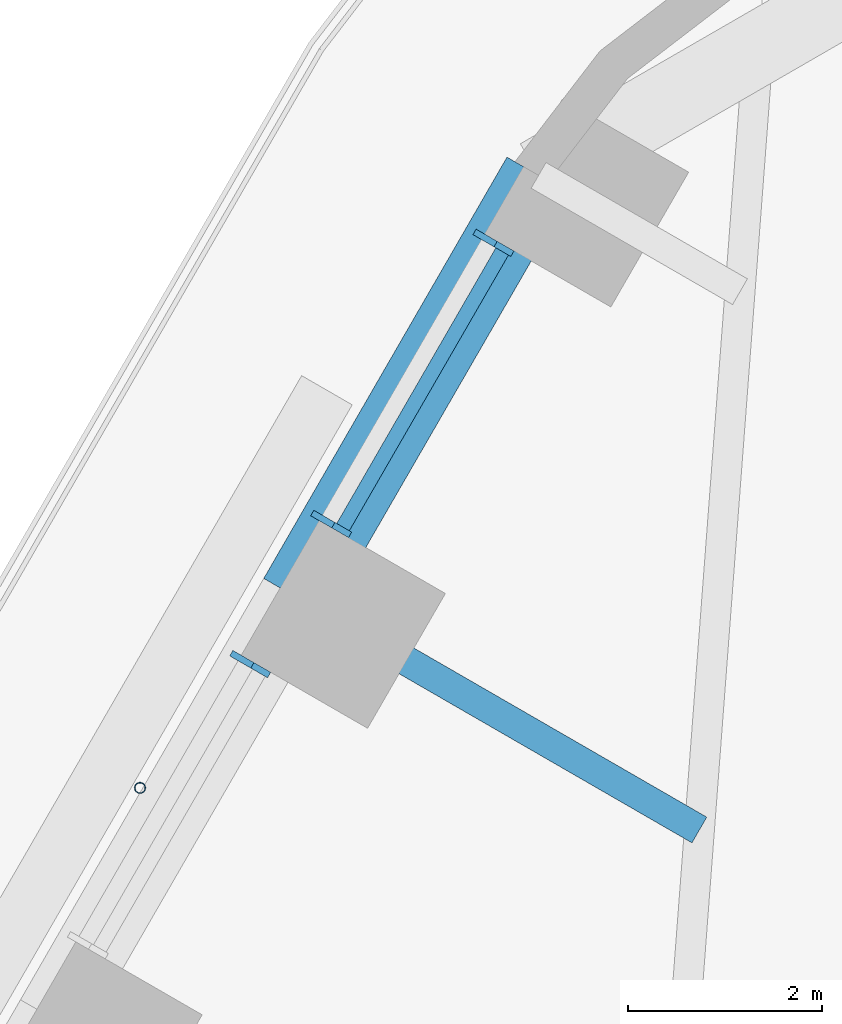
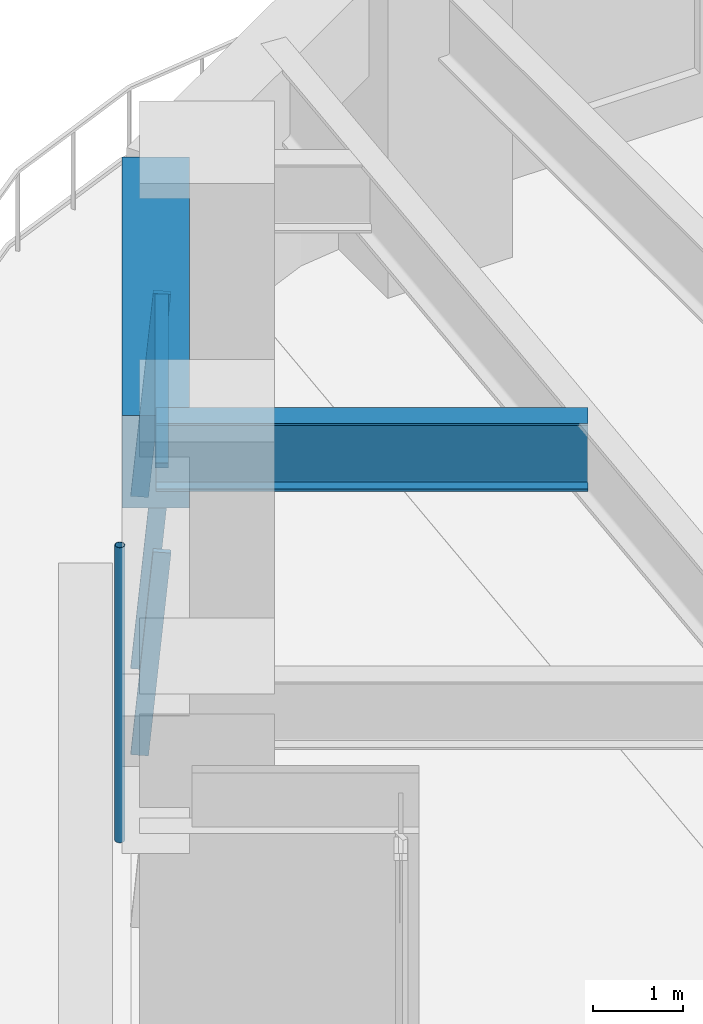
# One storey, part 9 of 24: 5 members, 2 beams, 2 elements without a shape of their own.
"""IFC4 building model written with IfcOpenShell, lengths in metres."""

from ifc_helpers import new_model, si_unit, direction, frame, origin, origin_2d, place, context, subcontext, project, spatial, rectangle, hollow_circle, i_section, extrude, material, material_profile, profile_set, type_object, element, aggregate, save


model = new_model("IFC4")

# Units and contexts
model_context = context("Model", 3, precision=1e-05, world=origin(), true_north=direction((0.0, 1.0)))
body_context = subcontext(model_context, "Body", "Model", "MODEL_VIEW")
ifc_project = project(units=[si_unit("LENGTHUNIT", "METRE"), si_unit("AREAUNIT", "SQUARE_METRE"), si_unit("VOLUMEUNIT", "CUBIC_METRE"), si_unit("PLANEANGLEUNIT", "RADIAN"), si_unit("MASSUNIT", "GRAM", prefix="KILO")], contexts=[model_context])

# Site, building, storey
site_placement = place(None, origin())
site = spatial("IfcSite", under=ifc_project, at=site_placement, CompositionType="ELEMENT")
building_placement = place(site_placement, origin())
building = spatial("IfcBuilding", under=site, at=building_placement, Name="Tarfa Lantern Tower", CompositionType="ELEMENT")
storey_placement = place(building_placement, frame((0.0, 0.0, 140.5)))
storey = spatial("IfcBuildingStorey", under=building, at=storey_placement, Name="L31", CompositionType="ELEMENT", Elevation=140.5)

# Curtain wall, members
ifc_material_1 = material(Name="Aluminium framed curtain wall", Category="aluminium")
curtain_wall_type = type_object("IfcCurtainWallType", Name="CW2 CANTED GLAZING MID ZONE 2750", PredefinedType="USERDEFINED", material=ifc_material_1)
curtain_wall_1_placement = place(storey_placement, origin())
curtain_wall_1 = element("IfcCurtainWall", 1, at=curtain_wall_1_placement, inside=storey, type_object=curtain_wall_type, Name="CW2 NW L31", ObjectType="CURTAIN WALL", PredefinedType="USERDEFINED")
ifc_material_2 = material(Name="Aluminium mullion", Category="aluminium")
ifc_material_profile_1 = material_profile(ifc_material_2, rectangle(XDim=0.06494140625, YDim=0.199951171875, at=origin_2d()), Name="AL MULLION 65x200")
ifc_profile_set_1 = profile_set([ifc_material_profile_1], Name="Aluminium mullion")
member_type_1 = type_object("IfcMemberType", Name="CWM1 MULLION 65x200", PredefinedType="MULLION", material=ifc_profile_set_1)
member_1_placement = place(storey_placement, frame((-20.10400390625, 27.97900390625, 0.0), z_axis=(0.078422950161, -0.045267813396, 0.995891894715), x_axis=(0.499919672301, 0.866071776036, 0.0)))
member_1 = element("IfcMember", 2, at=member_1_placement, type_object=member_type_1, Name="CW2 mullion 1", PredefinedType="MULLION", context=body_context, shape_type="SweptSolid", body=[
    extrude(rectangle(XDim=0.06494140625, YDim=0.199951171875, at=origin_2d()), origin(), (0.0, 0.0, 1.0), 2.76123046875),
])
member_2_placement = place(storey_placement, frame((-21.773193359375, 25.087646484375, 0.0), z_axis=(0.078422950161, -0.045267813396, 0.995891894715), x_axis=(0.499919672301, 0.866071776036, 0.0)))
member_2 = element("IfcMember", 3, at=member_2_placement, type_object=member_type_1, Name="CW2 mullion 2", PredefinedType="MULLION", context=body_context, shape_type="SweptSolid", body=[
    extrude(rectangle(XDim=0.06494140625, YDim=0.199951171875, at=origin_2d()), origin(), (0.0, 0.0, 1.0), 2.76123046875),
])

# Curtain wall, member
curtain_wall_2_placement = place(storey_placement, origin())
curtain_wall_2 = element("IfcCurtainWall", 4, at=curtain_wall_2_placement, inside=storey, type_object=curtain_wall_type, Name="CW2 NW L31", ObjectType="CURTAIN WALL", PredefinedType="USERDEFINED")
member_3_placement = place(storey_placement, frame((-22.605712890625, 23.645751953125, 0.0), z_axis=(0.078422950161, -0.045267813396, 0.995891894715), x_axis=(0.499919672301, 0.866071776036, 0.0)))
member_3 = element("IfcMember", 5, at=member_3_placement, type_object=member_type_1, Name="CW2 mullion 1", PredefinedType="MULLION", context=body_context, shape_type="SweptSolid", body=[
    extrude(rectangle(XDim=0.06494140625, YDim=0.199951171875, at=origin_2d()), origin(), (0.0, 0.0, 1.0), 2.76123046875),
])
aggregate(curtain_wall_2, [member_3])

# Member
ifc_material_3 = material(Name="Aluminium transom", Category="aluminium")
ifc_material_profile_2 = material_profile(ifc_material_3, rectangle(XDim=0.14990234375, YDim=0.06494140625, at=origin_2d()), Name="AL TRANSOM 150x65")
ifc_profile_set_2 = profile_set([ifc_material_profile_2], Name="Aluminium transom")
member_type_2 = type_object("IfcMemberType", Name="CWT1 TRANSOM 150x65", PredefinedType="USERDEFINED", material=ifc_profile_set_2)
member_4_placement = place(storey_placement, frame((-19.90625, 27.827392578125, 2.717529296875), z_axis=(-0.499957005835, -0.866050225054, 0.0), x_axis=(0.866050225054, -0.499957005835, 0.0)))
member_4 = element("IfcMember", 6, at=member_4_placement, type_object=member_type_2, Name="CW2 transom 1.2", ObjectType="TRANSOM", PredefinedType="USERDEFINED", context=body_context, shape_type="SweptSolid", body=[
    extrude(rectangle(XDim=0.14990234375, YDim=0.06494140625, at=origin_2d()), origin(), (0.0, 0.0, 1.0), 3.273681640625),
])

aggregate(curtain_wall_1, [member_1, member_2, member_4])

# Beam
ifc_material_4 = material(Name="Concrete C80/95", Category="concrete")
ifc_material_profile_3 = material_profile(ifc_material_4, rectangle(XDim=0.75, YDim=1.25, at=origin_2d()), Name="RC 750x1250")
ifc_profile_set_3 = profile_set([ifc_material_profile_3], Name="Concrete C80/95")
beam_type_1 = type_object("IfcBeamType", Name="EB2 RC 750x1250", PredefinedType="SPANDREL", material=ifc_profile_set_3)
beam_1_placement = place(storey_placement, frame((-19.53173828125, 28.610107421875, 3.375), z_axis=(-0.500001197378, -0.866024712477, 0.0), x_axis=(0.866024712477, -0.500001197378, 0.0)))
element("IfcBeam", 7, at=beam_1_placement, inside=storey, type_object=beam_type_1, Name="Edge beam NW0", PredefinedType="SPANDREL", context=body_context, shape_type="SweptSolid", body=[
    extrude(rectangle(XDim=0.75, YDim=1.25, at=origin_2d()), origin(), (0.0, 0.0, 1.0), 5.00390625),
])

# Member
ifc_material_5 = material(Name="Steel S355", Category="steel")
ifc_material_profile_4 = material_profile(ifc_material_5, hollow_circle(Radius=0.05712890625, WallThickness=0.00634765625, at=origin_2d()), Name="CHS114.3x6.3")
ifc_profile_set_4 = profile_set([ifc_material_profile_4], Name="Steel S355")
member_type_3 = type_object("IfcMemberType", Name="TR1 GREEN WALL TRELLIS CHS114.3x6.3", PredefinedType="USERDEFINED", material=ifc_profile_set_4)
member_5_placement = place(storey_placement, frame((-23.630859375, 22.31005859375, 0.0), z_axis=(0.0, 0.0, 1.0), x_axis=(1.0, 0.0, 0.0)))
element("IfcMember", 8, at=member_5_placement, inside=storey, type_object=member_type_3, Name="Trellis post NW 1", ObjectType="TRELLIS", PredefinedType="USERDEFINED", context=body_context, shape_type="SweptSolid", body=[
    extrude(hollow_circle(Radius=0.05712890625, WallThickness=0.00634765625, at=origin_2d()), origin(), (0.0, 0.0, 1.0), 4.0),
])

# Beam
ifc_material_6 = material(Name="Steel S460M", Category="steel")
ifc_material_profile_5 = material_profile(ifc_material_6, i_section(OverallWidth=0.305419921875, OverallDepth=0.91845703125, WebThickness=0.017333984375, FlangeThickness=0.02783203125, FilletRadius=0.01904296875, at=origin_2d()), Name="UB914x305x253")
ifc_profile_set_5 = profile_set([ifc_material_profile_5], Name="Steel S460M")
beam_type_2 = type_object("IfcBeamType", Name="UB914x305x253", PredefinedType="BEAM", material=ifc_profile_set_5)
beam_2_placement = place(storey_placement, frame((-22.03369140625, 24.276611328125, 3.540771484375), z_axis=(0.866030550462, -0.499991085587, 0.0), x_axis=(0.499991085587, 0.866030550462, 0.0)))
element("IfcBeam", 9, at=beam_2_placement, inside=storey, type_object=beam_type_2, Name="Floor beam NW1", PredefinedType="BEAM", context=body_context, shape_type="SweptSolid", body=[
    extrude(i_section(OverallWidth=0.305419921875, OverallDepth=0.91845703125, WebThickness=0.017333984375, FlangeThickness=0.02783203125, FilletRadius=0.01904296875, at=origin_2d()), origin(), (0.0, 0.0, 1.0), 4.798828125),
])

save(model, "model.ifc")
